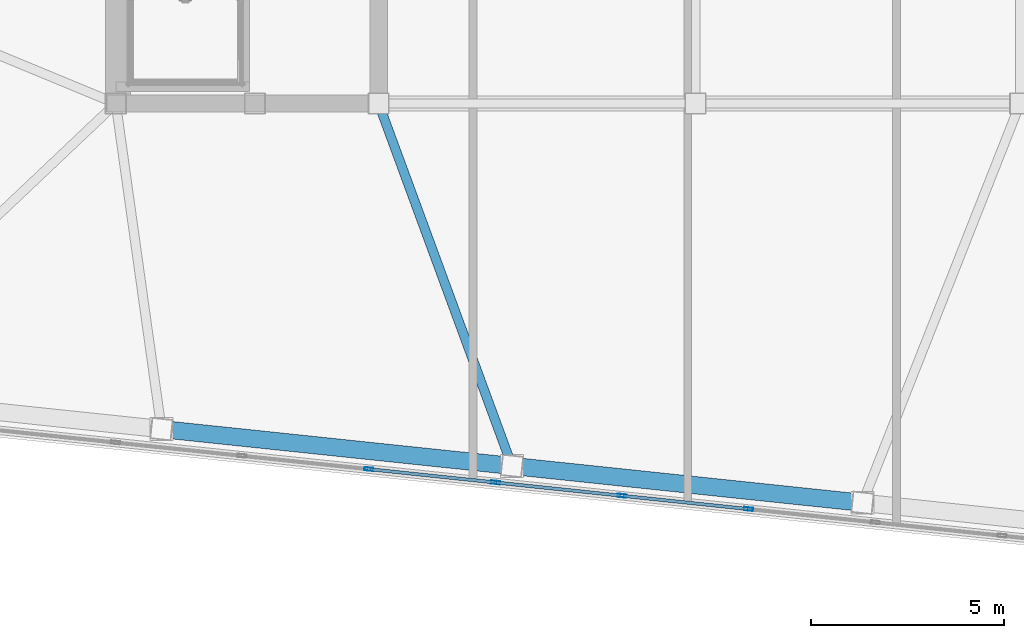
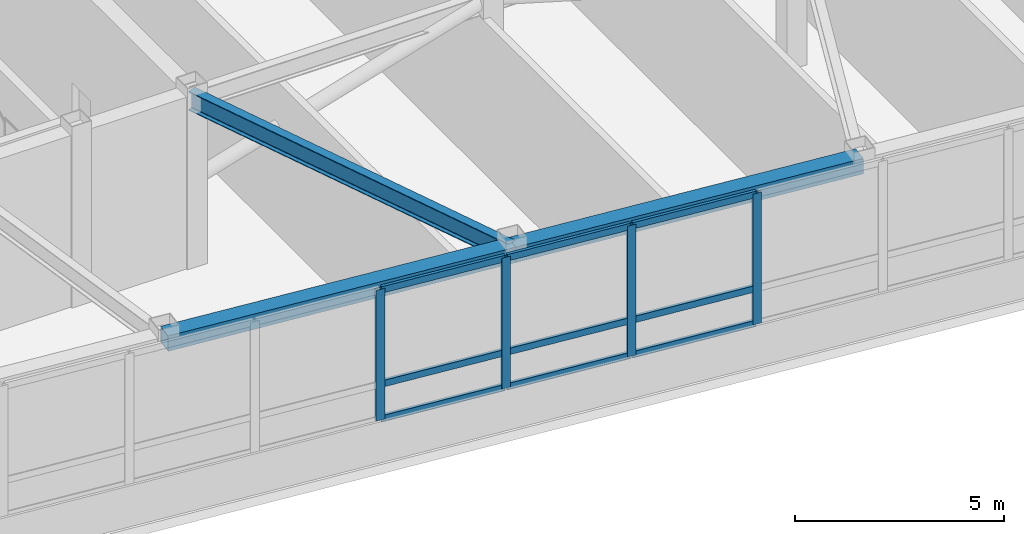
# One storey, part 4 of 23: 13 members, 3 beams, 1 element without a shape of its own.
"""IFC4 building model written with IfcOpenShell, lengths in metres."""

import ifcopenshell
import ifcopenshell.guid

model = None  # the IFC model being written
_history = None  # IfcOwnerHistory: only IFC2X3 demands one
_inside = {}  # id of a spatial element -> (the spatial element, [elements in it])
_under = {}  # id of a project, library or spatial element -> (it, [spatial elements below it])
_declared = {}  # id of a project -> (the project, [libraries it declares])
_typed = {}  # id of a type object -> (the type object, [elements of that type])
_made_of = {}  # id of a material, layer set ... -> (it, [elements and type objects made of it])


def new_model(schema):
    """Start an empty IFC model of exactly this schema.

    Asked for "IFC4X3", IfcOpenShell would pick the latest addendum, in which some entities
    have other attributes; the version numbers below select the first issue.
    IFC2X3 requires an IfcOwnerHistory on every rooted entity: one is made here for all.
    """
    global model, _history
    if schema == "IFC4X3":
        model = ifcopenshell.file(schema_version=(4, 3, 0, 0))
    else:
        model = ifcopenshell.file(schema=schema)
    _inside.clear()
    _under.clear()
    _declared.clear()
    _typed.clear()
    _made_of.clear()
    _history = None
    if model.schema == "IFC2X3":
        org = make("IfcOrganization", Name="unknown")
        user = make(
            "IfcPersonAndOrganization",
            ThePerson=make("IfcPerson", FamilyName="unknown"),
            TheOrganization=org,
        )
        app = make(
            "IfcApplication",
            ApplicationDeveloper=org,
            Version="unknown",
            ApplicationFullName="unknown",
            ApplicationIdentifier="unknown",
        )
        _history = make(
            "IfcOwnerHistory",
            OwningUser=user,
            OwningApplication=app,
            ChangeAction="ADDED",
            CreationDate=0,
        )
    return model


def make(cls, **values):
    """One entity of the class cls with the attributes given. An attribute that is None is left unset."""
    return model.create_entity(
        cls, **{name: value for name, value in values.items() if value is not None}
    )


def rooted(cls, **values):
    """An entity with a GlobalId (a new one), such as an element, a storey or a relation."""
    return make(cls, GlobalId=ifcopenshell.guid.new(), OwnerHistory=_history, **values)


def si_unit(unit_type, name, prefix=None):
    """IfcSIUnit, for example si_unit("LENGTHUNIT", "METRE", prefix="MILLI")."""
    return make("IfcSIUnit", UnitType=unit_type, Prefix=prefix, Name=name)


def assignment(units):
    """IfcUnitAssignment: the units of a project."""
    return None if units is None else make("IfcUnitAssignment", Units=units)


def point(xyz):
    """IfcCartesianPoint."""
    return None if xyz is None else make("IfcCartesianPoint", Coordinates=xyz)


def direction(xyz):
    """IfcDirection."""
    return None if xyz is None else make("IfcDirection", DirectionRatios=xyz)


def frame(location, z_axis=None, x_axis=None):
    """IfcAxis2Placement3D, a coordinate frame: its origin and axes. An axis left out is left unset."""
    return make(
        "IfcAxis2Placement3D",
        Location=point(location),
        Axis=direction(z_axis),
        RefDirection=direction(x_axis),
    )


def frame_2d(location, x_axis=None):
    """IfcAxis2Placement2D, a coordinate frame in the plane: its origin and x axis."""
    return make(
        "IfcAxis2Placement2D", Location=point(location), RefDirection=direction(x_axis)
    )


def origin():
    """The frame at (0, 0, 0) with its axes left unset."""
    return frame((0.0, 0.0, 0.0))


def origin_2d():
    """The frame at (0, 0) in the plane with its x axis left unset."""
    return frame_2d((0.0, 0.0))


def place(relative_to, where):
    """IfcLocalPlacement: puts the frame where relative to a parent placement (None: the world)."""
    return make(
        "IfcLocalPlacement", PlacementRelTo=relative_to, RelativePlacement=where
    )


def context(
    kind, dimensions, precision=None, world=None, true_north=None, identifier=None
):
    """IfcGeometricRepresentationContext, for example the 3D "Model" context."""
    return make(
        "IfcGeometricRepresentationContext",
        ContextIdentifier=identifier,
        ContextType=kind,
        CoordinateSpaceDimension=dimensions,
        Precision=precision,
        WorldCoordinateSystem=world,
        TrueNorth=true_north,
    )


def subcontext(parent, identifier, kind, view, scale=None):
    """IfcGeometricRepresentationSubContext, for example "Body" below "Model"."""
    return make(
        "IfcGeometricRepresentationSubContext",
        ContextIdentifier=identifier,
        ContextType=kind,
        ParentContext=parent,
        TargetScale=scale,
        TargetView=view,
    )


def project(units=None, contexts=None):
    """IfcProject with its units and contexts."""
    return rooted(
        "IfcProject",
        Name="project",
        RepresentationContexts=contexts,
        UnitsInContext=assignment(units),
    )


def spatial(cls, under=None, at=None, **own):
    """A site, building, storey or space (cls), placed at a placement, below another one or the project."""
    s = rooted(cls, ObjectPlacement=at, **own)
    if under is not None:
        _under.setdefault(under.id(), (under, []))[1].append(s)
    return s


def profile(cls, at=None, kind="AREA", **sizes):
    """A parametric profile (cls). Its sizes go by their IFC names, for example OverallWidth=200.0."""
    return make(cls, ProfileType=kind, Position=at, **sizes)


def hollow_rectangle(**sizes):
    """IfcRectangleHollowProfileDef."""
    return profile("IfcRectangleHollowProfileDef", **sizes)


def i_section(**sizes):
    """IfcIShapeProfileDef."""
    return profile("IfcIShapeProfileDef", **sizes)


def extrude(swept, where, along, depth):
    """IfcExtrudedAreaSolid: the profile swept, set in the frame where, extruded along a direction by depth."""
    return make(
        "IfcExtrudedAreaSolid",
        SweptArea=swept,
        Position=where,
        ExtrudedDirection=direction(along),
        Depth=depth,
    )


def shape(context_of_items, identifier, shape_type, items):
    """IfcShapeRepresentation: the items that make up one representation, for example the "Body"."""
    return make(
        "IfcShapeRepresentation",
        ContextOfItems=context_of_items,
        RepresentationIdentifier=identifier,
        RepresentationType=shape_type,
        Items=items,
    )


def material(Name=None, Category=None):
    """IfcMaterial."""
    return make("IfcMaterial", Name=Name, Category=Category)


def layer(
    of_material, thickness, ventilated=None, Name=None, Category=None, Priority=None
):
    """IfcMaterialLayer: one layer of a wall or slab, of a material (None: an air gap)."""
    return make(
        "IfcMaterialLayer",
        Material=of_material,
        LayerThickness=thickness,
        IsVentilated=ventilated,
        Name=Name,
        Category=Category,
        Priority=Priority,
    )


def layer_set(layers, Name=None):
    """IfcMaterialLayerSet."""
    return make("IfcMaterialLayerSet", MaterialLayers=layers, LayerSetName=Name)


def material_profile(
    of_material, cross_section, Name=None, Category=None, Priority=None
):
    """IfcMaterialProfile: a cross section and its material."""
    return make(
        "IfcMaterialProfile",
        Name=Name,
        Material=of_material,
        Profile=cross_section,
        Priority=Priority,
        Category=Category,
    )


def profile_set(profiles, Name=None, composite=None):
    """IfcMaterialProfileSet."""
    return make(
        "IfcMaterialProfileSet",
        Name=Name,
        MaterialProfiles=profiles,
        CompositeProfile=composite,
    )


def made_of(thing, what):
    """Note that an element or type object is made of a material, layer set ...; save() writes the relation."""
    if what is not None:
        _made_of.setdefault(what.id(), (what, []))[1].append(thing)
    return thing


def type_object(cls, material=None, **own):
    """A type object (cls), such as IfcWallType, which elements share."""
    return made_of(rooted(cls, **own), material)


def element(
    cls,
    number,
    at=None,
    inside=None,
    cuts=None,
    type_object=None,
    material=None,
    context=None,
    identifier="Body",
    shape_type=None,
    held_by="IfcProductDefinitionShape",
    body=None,
    shapes=None,
    **own,
):
    """One element of the class cls, such as IfcWall. Its Tag is "e" and its number.

    at: its placement. inside: the storey or other place that contains it. cuts: it is an
    opening in that element (IfcRelVoidsElement). A single representation is given by context,
    identifier, shape_type and body (its items); several are given by shapes. held_by: the class
    of the entity that holds the representations. save() writes the other relations.
    """
    e = rooted(cls, Tag="e%d" % number, ObjectPlacement=at, **own)
    if body is not None:
        shapes = [shape(context, identifier, shape_type, body)]
    if shapes is not None:
        e.Representation = make(held_by, Representations=shapes)
    if inside is not None:
        _inside.setdefault(inside.id(), (inside, []))[1].append(e)
    if cuts is not None:
        rooted(
            "IfcRelVoidsElement", RelatingBuildingElement=cuts, RelatedOpeningElement=e
        )
    if type_object is not None:
        _typed.setdefault(type_object.id(), (type_object, []))[1].append(e)
    return made_of(e, material)


def aggregate(whole, parts):
    """IfcRelAggregates: a whole, such as a stair, and the parts it consists of."""
    return rooted("IfcRelAggregates", RelatingObject=whole, RelatedObjects=parts)


def save(model, path):
    """Write the relations noted so far, then the file.

    IfcRelAggregates (storeys below a building ...), IfcRelContainedInSpatialStructure (elements
    in a storey), IfcRelDefinesByType, IfcRelAssociatesMaterial and IfcRelDeclares: one each for
    every whole, place, type object, material and project.
    """
    for whole, parts in _under.values():
        aggregate(whole, parts)
    for where, things in _inside.values():
        rooted(
            "IfcRelContainedInSpatialStructure",
            RelatedElements=things,
            RelatingStructure=where,
        )
    for kind, things in _typed.values():
        rooted("IfcRelDefinesByType", RelatedObjects=things, RelatingType=kind)
    for what, things in _made_of.values():
        rooted("IfcRelAssociatesMaterial", RelatedObjects=things, RelatingMaterial=what)
    for by, libraries in _declared.values():
        rooted("IfcRelDeclares", RelatingContext=by, RelatedDefinitions=libraries)
    model.write(path)


model = new_model("IFC4")

# Units and contexts
model_context = context("Model", 3, precision=1e-05, world=origin(), true_north=direction((0.0, 1.0)))
body_context = subcontext(model_context, "Body", "Model", "MODEL_VIEW")
ifc_project = project(units=[si_unit("LENGTHUNIT", "METRE"), si_unit("AREAUNIT", "SQUARE_METRE"), si_unit("VOLUMEUNIT", "CUBIC_METRE"), si_unit("PLANEANGLEUNIT", "RADIAN"), si_unit("MASSUNIT", "GRAM", prefix="KILO")], contexts=[model_context])

# Site, building, storey
site_placement = place(None, origin())
site = spatial("IfcSite", under=ifc_project, at=site_placement, CompositionType="ELEMENT")
building_placement = place(site_placement, origin())
building = spatial("IfcBuilding", under=site, at=building_placement, Name="Voryun Gate Residences", CompositionType="ELEMENT")
storey_placement = place(building_placement, frame((0.0, 0.0, 326.60009765625)))
storey = spatial("IfcBuildingStorey", under=building, at=storey_placement, Name="L80", CompositionType="ELEMENT", Elevation=326.60009765625)

# Beams
ifc_material_1 = material(Name="Steel SM355", Category="steel")
ifc_material_profile_1 = material_profile(ifc_material_1, hollow_rectangle(XDim=0.449951171875, YDim=0.449951171875, WallThickness=0.01806640625, at=origin_2d()), Name="BOX-450x450x18")
ifc_profile_set_1 = profile_set([ifc_material_profile_1], Name="Steel SM355")
beam_type_1 = type_object("IfcBeamType", Name="BM_CROWN_RING", PredefinedType="BEAM", material=ifc_profile_set_1)
beam_1_placement = place(storey_placement, frame((-18.0185546875, -15.824951171875, 4.7998046875), z_axis=(0.994521136856, -0.104535679778, 0.0), x_axis=(0.104535679778, 0.994521136856, 0.0)))
element("IfcBeam", 1, at=beam_1_placement, inside=storey, type_object=beam_type_1, Name="BM-L80-SPAND-02", PredefinedType="BEAM", context=body_context, shape_type="SweptSolid", body=[
    extrude(hollow_rectangle(XDim=0.449951171875, YDim=0.449951171875, WallThickness=0.01806640625, at=origin_2d()), origin(), (0.0, 0.0, 1.0), 9.1201171875),
])
beam_2_placement = place(storey_placement, frame((-8.948486328125, -16.7783203125, 4.7998046875), z_axis=(0.994520844313, -0.104538462908, 0.0), x_axis=(0.104538462908, 0.994520844313, 0.0)))
element("IfcBeam", 2, at=beam_2_placement, inside=storey, type_object=beam_type_1, Name="BM-L80-SPAND-03", PredefinedType="BEAM", context=body_context, shape_type="SweptSolid", body=[
    extrude(hollow_rectangle(XDim=0.449951171875, YDim=0.449951171875, WallThickness=0.01806640625, at=origin_2d()), origin(), (0.0, 0.0, 1.0), 9.119873046875),
])
ifc_material_2 = material(Name="Steel SM355", Category="steel")
ifc_material_profile_2 = material_profile(ifc_material_2, i_section(OverallWidth=0.239990234375, OverallDepth=0.550048828125, WebThickness=0.011962890625, FlangeThickness=0.02001953125, FilletRadius=0.01806640625, at=origin_2d()), Name="H-550x240x12x20")
ifc_profile_set_2 = profile_set([ifc_material_profile_2], Name="Steel SM355")
beam_type_2 = type_object("IfcBeamType", Name="BM_GIRD_550", PredefinedType="USERDEFINED", material=ifc_profile_set_2)
beam_3_placement = place(storey_placement, frame((-12.39990234375, -7.39990234375, 4.75), z_axis=(0.345371356654, -0.938466102746, 0.0), x_axis=(0.938466102746, 0.345371356654, 0.0)))
element("IfcBeam", 3, at=beam_3_placement, inside=storey, type_object=beam_type_2, Name="BM-L80-RAD-S3", ObjectType="GIRDER", PredefinedType="USERDEFINED", context=body_context, shape_type="SweptSolid", body=[
    extrude(i_section(OverallWidth=0.239990234375, OverallDepth=0.550048828125, WebThickness=0.011962890625, FlangeThickness=0.02001953125, FilletRadius=0.01806640625, at=origin_2d()), origin(), (0.0, 0.0, 1.0), 9.993408203125),
])

# Curtain wall, members
ifc_material_3 = material(Name="Anodised aluminium", Category="aluminium")
ifc_layer = layer(ifc_material_3, 0.22998046875, Name="CW_SYS_LANTERN_DARK_GLASS")
ifc_layer_set = layer_set([ifc_layer], Name="Anodised aluminium")
curtain_wall_type = type_object("IfcCurtainWallType", Name="CW_SYS_LANTERN_DARK_GLASS", PredefinedType="NOTDEFINED", material=ifc_layer_set)
curtain_wall_placement = place(storey_placement, origin())
curtain_wall = element("IfcCurtainWall", 4, at=curtain_wall_placement, inside=storey, type_object=curtain_wall_type, Name="Curtain wall CW6-L80-01", PredefinedType="NOTDEFINED")
ifc_material_4 = material(Name="Anodised aluminium", Category="aluminium")
ifc_material_profile_3 = material_profile(ifc_material_4, hollow_rectangle(XDim=0.0849609375, YDim=0.22998046875, WallThickness=0.006103515625, at=origin_2d()), Name="ALU-MULL-230x85x6")
ifc_profile_set_3 = profile_set([ifc_material_profile_3], Name="Anodised aluminium")
member_type_1 = type_object("IfcMemberType", Name="CW_MULL_LANT", PredefinedType="MULLION", material=ifc_profile_set_3)
member_1_placement = place(storey_placement, frame((-2.82421875, -17.89453125, 1.18994140625), z_axis=(0.0, 0.0, 1.0), x_axis=(-0.10452775858, -0.994521969434, 0.0)))
member_1 = element("IfcMember", 5, at=member_1_placement, type_object=member_type_1, Name="CW6 mullion 7", PredefinedType="MULLION", context=body_context, shape_type="SweptSolid", body=[
    extrude(hollow_rectangle(XDim=0.0849609375, YDim=0.22998046875, WallThickness=0.006103515625, at=origin_2d()), origin(), (0.0, 0.0, 1.0), 3.8349609375),
])
member_2_placement = place(storey_placement, frame((-6.10107421875, -17.55029296875, 1.18994140625), z_axis=(0.0, 0.0, 1.0), x_axis=(-0.10452775858, -0.994521969434, 0.0)))
member_2 = element("IfcMember", 6, at=member_2_placement, type_object=member_type_1, Name="CW6 mullion 8", PredefinedType="MULLION", context=body_context, shape_type="SweptSolid", body=[
    extrude(hollow_rectangle(XDim=0.0849609375, YDim=0.22998046875, WallThickness=0.006103515625, at=origin_2d()), origin(), (0.0, 0.0, 1.0), 3.8349609375),
])
member_3_placement = place(storey_placement, frame((-9.377685546875, -17.205810546875, 1.18994140625), z_axis=(0.0, 0.0, 1.0), x_axis=(-0.10452775858, -0.994521969434, 0.0)))
member_3 = element("IfcMember", 7, at=member_3_placement, type_object=member_type_1, Name="CW6 mullion 9", PredefinedType="MULLION", context=body_context, shape_type="SweptSolid", body=[
    extrude(hollow_rectangle(XDim=0.0849609375, YDim=0.22998046875, WallThickness=0.006103515625, at=origin_2d()), origin(), (0.0, 0.0, 1.0), 3.8349609375),
])
member_4_placement = place(storey_placement, frame((-12.654296875, -16.861328125, 1.18994140625), z_axis=(0.0, 0.0, 1.0), x_axis=(-0.10452775858, -0.994521969434, 0.0)))
member_4 = element("IfcMember", 8, at=member_4_placement, type_object=member_type_1, Name="CW6 mullion 10", PredefinedType="MULLION", context=body_context, shape_type="SweptSolid", body=[
    extrude(hollow_rectangle(XDim=0.0849609375, YDim=0.22998046875, WallThickness=0.006103515625, at=origin_2d()), origin(), (0.0, 0.0, 1.0), 3.8349609375),
])
ifc_material_5 = material(Name="Anodised aluminium", Category="aluminium")
ifc_material_profile_4 = material_profile(ifc_material_5, hollow_rectangle(XDim=0.0849609375, YDim=0.18994140625, WallThickness=0.006103515625, at=origin_2d()), Name="ALU-TRAN-190x85x6")
ifc_profile_set_4 = profile_set([ifc_material_profile_4], Name="Anodised aluminium")
member_type_2 = type_object("IfcMemberType", Name="CW_TRAN_LANT", PredefinedType="USERDEFINED", material=ifc_profile_set_4)
member_5_placement = place(storey_placement, frame((-2.854248046875, -17.891357421875, 1.219970703125), z_axis=(-0.994520745033, 0.104539407398, 0.0), x_axis=(-0.104539407398, -0.994520745033, 0.0)))
member_5 = element("IfcMember", 9, at=member_5_placement, type_object=member_type_2, Name="CW6 transom 7.1", ObjectType="TRANSOM", PredefinedType="USERDEFINED", context=body_context, shape_type="SweptSolid", body=[
    extrude(hollow_rectangle(XDim=0.0849609375, YDim=0.18994140625, WallThickness=0.006103515625, at=origin_2d()), origin(), (0.0, 0.0, 1.0), 3.234619140625),
])
member_6_placement = place(storey_placement, frame((-2.854248046875, -17.891357421875, 2.239990234375), z_axis=(-0.994520745033, 0.104539407398, 0.0), x_axis=(-0.104539407398, -0.994520745033, 0.0)))
member_6 = element("IfcMember", 10, at=member_6_placement, type_object=member_type_2, Name="CW6 transom 7.2", ObjectType="TRANSOM", PredefinedType="USERDEFINED", context=body_context, shape_type="SweptSolid", body=[
    extrude(hollow_rectangle(XDim=0.0849609375, YDim=0.18994140625, WallThickness=0.006103515625, at=origin_2d()), origin(), (0.0, 0.0, 1.0), 3.234619140625),
])
member_7_placement = place(storey_placement, frame((-2.854248046875, -17.891357421875, 4.994873046875), z_axis=(-0.994520745033, 0.104539407398, 0.0), x_axis=(-0.104539407398, -0.994520745033, 0.0)))
member_7 = element("IfcMember", 11, at=member_7_placement, type_object=member_type_2, Name="CW6 transom 7.3", ObjectType="TRANSOM", PredefinedType="USERDEFINED", context=body_context, shape_type="SweptSolid", body=[
    extrude(hollow_rectangle(XDim=0.0849609375, YDim=0.18994140625, WallThickness=0.006103515625, at=origin_2d()), origin(), (0.0, 0.0, 1.0), 3.234619140625),
])
member_8_placement = place(storey_placement, frame((-6.130859375, -17.547119140625, 1.219970703125), z_axis=(-0.994520745033, 0.104539407398, 0.0), x_axis=(-0.104539407398, -0.994520745033, 0.0)))
member_8 = element("IfcMember", 12, at=member_8_placement, type_object=member_type_2, Name="CW6 transom 8.1", ObjectType="TRANSOM", PredefinedType="USERDEFINED", context=body_context, shape_type="SweptSolid", body=[
    extrude(hollow_rectangle(XDim=0.0849609375, YDim=0.18994140625, WallThickness=0.006103515625, at=origin_2d()), origin(), (0.0, 0.0, 1.0), 3.234619140625),
])
member_9_placement = place(storey_placement, frame((-6.130859375, -17.547119140625, 2.239990234375), z_axis=(-0.994520745033, 0.104539407398, 0.0), x_axis=(-0.104539407398, -0.994520745033, 0.0)))
member_9 = element("IfcMember", 13, at=member_9_placement, type_object=member_type_2, Name="CW6 transom 8.2", ObjectType="TRANSOM", PredefinedType="USERDEFINED", context=body_context, shape_type="SweptSolid", body=[
    extrude(hollow_rectangle(XDim=0.0849609375, YDim=0.18994140625, WallThickness=0.006103515625, at=origin_2d()), origin(), (0.0, 0.0, 1.0), 3.234619140625),
])
member_10_placement = place(storey_placement, frame((-6.130859375, -17.547119140625, 4.994873046875), z_axis=(-0.994520745033, 0.104539407398, 0.0), x_axis=(-0.104539407398, -0.994520745033, 0.0)))
member_10 = element("IfcMember", 14, at=member_10_placement, type_object=member_type_2, Name="CW6 transom 8.3", ObjectType="TRANSOM", PredefinedType="USERDEFINED", context=body_context, shape_type="SweptSolid", body=[
    extrude(hollow_rectangle(XDim=0.0849609375, YDim=0.18994140625, WallThickness=0.006103515625, at=origin_2d()), origin(), (0.0, 0.0, 1.0), 3.234619140625),
])
member_11_placement = place(storey_placement, frame((-9.407470703125, -17.20263671875, 1.219970703125), z_axis=(-0.994520745033, 0.104539407398, 0.0), x_axis=(-0.104539407398, -0.994520745033, 0.0)))
member_11 = element("IfcMember", 15, at=member_11_placement, type_object=member_type_2, Name="CW6 transom 9.1", ObjectType="TRANSOM", PredefinedType="USERDEFINED", context=body_context, shape_type="SweptSolid", body=[
    extrude(hollow_rectangle(XDim=0.0849609375, YDim=0.18994140625, WallThickness=0.006103515625, at=origin_2d()), origin(), (0.0, 0.0, 1.0), 3.234619140625),
])
member_12_placement = place(storey_placement, frame((-9.407470703125, -17.20263671875, 2.239990234375), z_axis=(-0.994520745033, 0.104539407398, 0.0), x_axis=(-0.104539407398, -0.994520745033, 0.0)))
member_12 = element("IfcMember", 16, at=member_12_placement, type_object=member_type_2, Name="CW6 transom 9.2", ObjectType="TRANSOM", PredefinedType="USERDEFINED", context=body_context, shape_type="SweptSolid", body=[
    extrude(hollow_rectangle(XDim=0.0849609375, YDim=0.18994140625, WallThickness=0.006103515625, at=origin_2d()), origin(), (0.0, 0.0, 1.0), 3.234619140625),
])
member_13_placement = place(storey_placement, frame((-9.407470703125, -17.20263671875, 4.994873046875), z_axis=(-0.994520745033, 0.104539407398, 0.0), x_axis=(-0.104539407398, -0.994520745033, 0.0)))
member_13 = element("IfcMember", 17, at=member_13_placement, type_object=member_type_2, Name="CW6 transom 9.3", ObjectType="TRANSOM", PredefinedType="USERDEFINED", context=body_context, shape_type="SweptSolid", body=[
    extrude(hollow_rectangle(XDim=0.0849609375, YDim=0.18994140625, WallThickness=0.006103515625, at=origin_2d()), origin(), (0.0, 0.0, 1.0), 3.234619140625),
])
aggregate(curtain_wall, [member_1, member_2, member_3, member_4, member_5, member_6, member_7, member_8, member_9, member_10, member_11, member_12, member_13])

save(model, "model.ifc")
